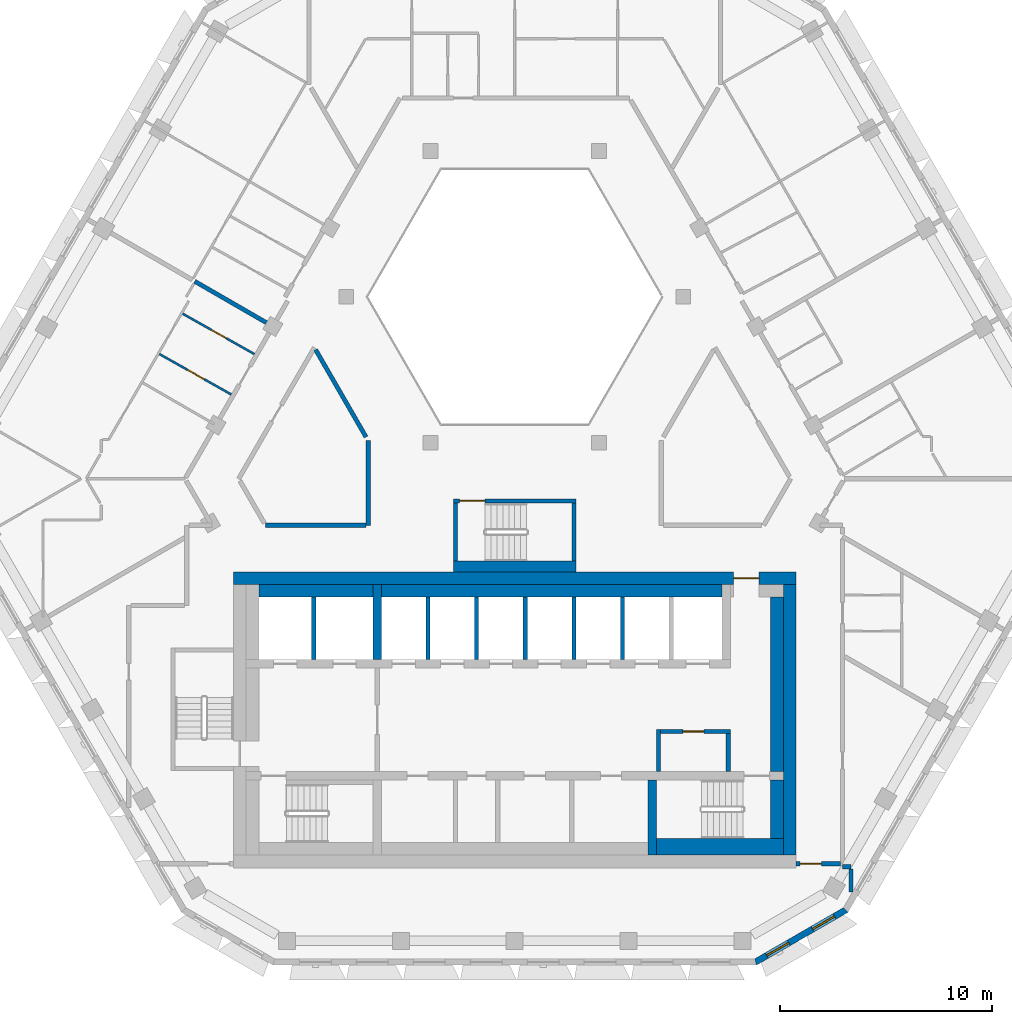
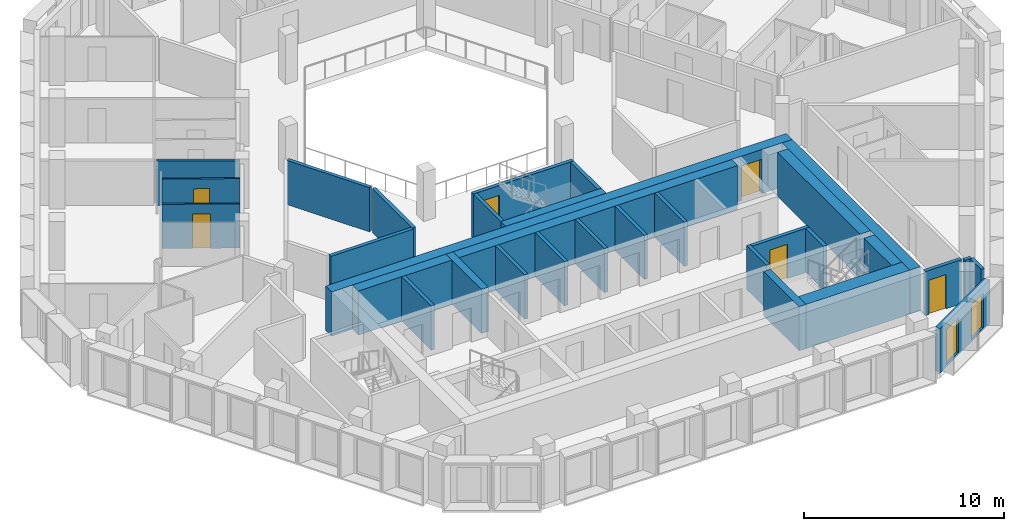
# One storey, part 5 of 18: 32 walls, 6 doors, 2 windows, 8 openings.
"""IFC4 building model written with IfcOpenShell, lengths in metres."""

from ifc_helpers import new_model, si_unit, direction, frame, frame_2d, origin, place, context, subcontext, project, spatial, polyline, rectangle, outline, extrude, material, layer, layer_set, type_object, element, fill, save


model = new_model("IFC4")

# Units and contexts
model_context = context("Model", 3, precision=1e-05, world=origin(), true_north=direction((0.0, 1.0)))
body_context = subcontext(model_context, "Body", "Model", "MODEL_VIEW")
ifc_project = project(units=[si_unit("LENGTHUNIT", "METRE"), si_unit("AREAUNIT", "SQUARE_METRE"), si_unit("VOLUMEUNIT", "CUBIC_METRE"), si_unit("PLANEANGLEUNIT", "RADIAN"), si_unit("MASSUNIT", "GRAM", prefix="KILO")], contexts=[model_context])

# Site, building, storey
site_placement = place(None, origin())
site = spatial("IfcSite", under=ifc_project, at=site_placement, CompositionType="ELEMENT")
building_placement = place(site_placement, origin())
building = spatial("IfcBuilding", under=site, at=building_placement, Name="Beryl Residences", CompositionType="ELEMENT")
storey_placement = place(building_placement, frame((0.0, 0.0, 190.199951171875)))
storey = spatial("IfcBuildingStorey", under=building, at=storey_placement, Name="L58", CompositionType="ELEMENT", Elevation=190.199951171875)

# Wall, openings, windows
ifc_material_1 = material(Name="Composite metal panel with mineral wool insulation")
ifc_layer_1 = layer(ifc_material_1, 0.300048828125)
ifc_layer_set_1 = layer_set([ifc_layer_1], Name="ES1 pale metal composite panel wall 300 mm")
wall_type_1 = type_object("IfcWallType", Name="ES1 pale metal composite panel wall 300 mm", PredefinedType="SOLIDWALL", material=ifc_layer_set_1)
wall_1_placement = place(storey_placement, frame((11.35595703125, -23.469970703125, 0.0), z_axis=(0.0, 0.0, 1.0), x_axis=(0.866022959057, 0.500004234368, 0.0)))
wall_1 = element("IfcWall", 1, at=wall_1_placement, inside=storey, type_object=wall_type_1, Name="ES1 external wall L58 S-SE", PredefinedType="SOLIDWALL", context=body_context, shape_type="SweptSolid", body=[
    extrude(outline(polyline([(0.0, -0.14990234375), (5.0, -0.14990234375), (4.919677734375, 0.14990234375), (0.080322265625, 0.14990234375), (0.0, -0.14990234375)])), origin(), (0.0, 0.0, 1.0), 2.699951171875),
])
opening_1_placement = place(wall_1_placement, frame((0.64990234375, 0.0, 0.14990234375)))
opening_1 = element("IfcOpeningElement", 2, at=opening_1_placement, cuts=wall_1, Name="Opening W2", PredefinedType="OPENING", context=body_context, shape_type="SweptSolid", body=[
    extrude(rectangle(XDim=1.199951171875, YDim=2.10009765625, at=frame_2d((0.60009765625, 1.050048828125))), frame((0.0, 0.159912109375, 0.0), z_axis=(0.0, -1.0, 0.0), x_axis=(1.0, 0.0, 0.0)), (0.0, 0.0, 1.0), 0.320068359375),
])
opening_2_placement = place(wall_1_placement, frame((3.14892578125, 0.0, 0.14990234375)))
opening_2 = element("IfcOpeningElement", 3, at=opening_2_placement, cuts=wall_1, Name="Opening W2", PredefinedType="OPENING", context=body_context, shape_type="SweptSolid", body=[
    extrude(rectangle(XDim=1.199951171875, YDim=2.10009765625, at=frame_2d((0.60009765625, 1.050048828125))), frame((0.0, 0.159912109375, 0.0), z_axis=(0.0, -1.0, 0.0), x_axis=(1.0, 0.0, 0.0)), (0.0, 0.0, 1.0), 0.320068359375),
])
ifc_material_2 = material(Name="Aluminium and clear glass", Category="aluminium")
window_type = type_object("IfcWindowType", Name="W2 chamfer window 1200 x 2100 mm", PartitioningType="SINGLE_PANEL", PredefinedType="WINDOW", material=ifc_material_2)
window_1_placement = place(opening_1_placement, origin())
window_1 = element("IfcWindow", 4, at=window_1_placement, inside=storey, type_object=window_type, Name="W2 window L58 S-SE 1", OverallHeight=2.10009765625, OverallWidth=1.199951171875, PartitioningType="SINGLE_PANEL", PredefinedType="WINDOW", context=body_context, shape_type="SweptSolid", body=[
    extrude(rectangle(XDim=1.199951171875, YDim=2.10009765625, at=frame_2d((0.60009765625, 1.050048828125))), frame((0.0, 0.030029296875, 0.0), z_axis=(0.0, -1.0, 0.0), x_axis=(1.0, 0.0, 0.0)), (0.0, 0.0, 1.0), 0.06005859375),
])
fill(opening_1, window_1)
window_2_placement = place(opening_2_placement, origin())
window_2 = element("IfcWindow", 5, at=window_2_placement, inside=storey, type_object=window_type, Name="W2 window L58 S-SE 2", OverallHeight=2.10009765625, OverallWidth=1.199951171875, PartitioningType="SINGLE_PANEL", PredefinedType="WINDOW", context=body_context, shape_type="SweptSolid", body=[
    extrude(rectangle(XDim=1.199951171875, YDim=2.10009765625, at=frame_2d((0.60009765625, 1.050048828125))), frame((0.0, 0.030029296875, 0.0), z_axis=(0.0, -1.0, 0.0), x_axis=(1.0, 0.0, 0.0)), (0.0, 0.0, 1.0), 0.06005859375),
])
fill(opening_2, window_2)

# Wall, opening, door
ifc_material_3 = material(Name="Gypsum board partition on steel studs", Category="steel")
ifc_layer_2 = layer(ifc_material_3, 0.10009765625)
ifc_layer_set_2 = layer_set([ifc_layer_2], Name="PT1 partition 100 mm gypsum board on steel studs")
wall_type_2 = type_object("IfcWallType", Name="PT1 partition 100 mm gypsum board on steel studs", PredefinedType="PARTITIONING", material=ifc_layer_set_2)
wall_2_placement = place(storey_placement, frame((-16.799072265625, 5.2958984375, 0.0), z_axis=(0.0, 0.0, 1.0), x_axis=(0.871565499758, -0.490279083413, 0.0)))
wall_2 = element("IfcWall", 6, at=wall_2_placement, inside=storey, type_object=wall_type_2, Name="Wall PT1 L58 011", PredefinedType="PARTITIONING", context=body_context, shape_type="SweptSolid", body=[
    extrude(rectangle(XDim=3.8974609375, YDim=0.10009765625, at=frame_2d((1.94873046875, 0.0))), origin(), (0.0, 0.0, 1.0), 2.699951171875),
])
opening_3_placement = place(wall_2_placement, frame((1.52392578125, 0.0, 0.0)))
opening_3 = element("IfcOpeningElement", 7, at=opening_3_placement, cuts=wall_2, Name="Opening D1525", PredefinedType="OPENING", context=body_context, shape_type="SweptSolid", body=[
    extrude(rectangle(XDim=0.89990234375, YDim=2.10009765625, at=frame_2d((0.449951171875, 1.050048828125))), frame((0.0, 0.06005859375, 0.0), z_axis=(0.0, -1.0, 0.0), x_axis=(1.0, 0.0, 0.0)), (0.0, 0.0, 1.0), 0.1201171875),
])
ifc_material_4 = material(Name="Timber door leaf", Category="wood")
door_type_1 = type_object("IfcDoorType", Name="D2 room door 900 x 2100 mm", OperationType="SINGLE_SWING_LEFT", PredefinedType="DOOR", material=ifc_material_4)
door_1_placement = place(opening_3_placement, origin())
door_1 = element("IfcDoor", 8, at=door_1_placement, inside=storey, type_object=door_type_1, Name="Door D1525 L58 001", OperationType="SINGLE_SWING_LEFT", OverallHeight=2.10009765625, OverallWidth=0.89990234375, PredefinedType="DOOR", context=body_context, shape_type="SweptSolid", body=[
    extrude(rectangle(XDim=0.89990234375, YDim=2.10009765625, at=frame_2d((0.449951171875, 1.050048828125))), frame((0.0, 0.02490234375, 0.0), z_axis=(0.0, -1.0, 0.0), x_axis=(1.0, 0.0, 0.0)), (0.0, 0.0, 1.0), 0.050048828125),
])
fill(opening_3, door_1)

wall_3_placement = place(storey_placement, frame((-15.698974609375, 7.201904296875, 0.0), z_axis=(0.0, 0.0, 1.0), x_axis=(0.871565499758, -0.490279083413, 0.0)))
wall_3 = element("IfcWall", 9, at=wall_3_placement, inside=storey, type_object=wall_type_2, Name="Wall PT1 L58 012", PredefinedType="PARTITIONING", context=body_context, shape_type="SweptSolid", body=[
    extrude(rectangle(XDim=3.8974609375, YDim=0.10009765625, at=frame_2d((1.94873046875, 0.0))), origin(), (0.0, 0.0, 1.0), 2.699951171875),
])
opening_4_placement = place(wall_3_placement, frame((1.573974609375, 0.0, 0.0)))
opening_4 = element("IfcOpeningElement", 10, at=opening_4_placement, cuts=wall_3, Name="Opening D1526", PredefinedType="OPENING", context=body_context, shape_type="SweptSolid", body=[
    extrude(rectangle(XDim=0.800048828125, YDim=2.10009765625, at=frame_2d((0.39990234375, 1.050048828125))), frame((0.0, 0.06005859375, 0.0), z_axis=(0.0, -1.0, 0.0), x_axis=(1.0, 0.0, 0.0)), (0.0, 0.0, 1.0), 0.1201171875),
])
ifc_material_5 = material(Name="Timber door leaf", Category="wood")
door_type_2 = type_object("IfcDoorType", Name="D3 bathroom door 800 x 2100 mm", OperationType="SINGLE_SWING_LEFT", PredefinedType="DOOR", material=ifc_material_5)
door_2_placement = place(opening_4_placement, origin())
door_2 = element("IfcDoor", 11, at=door_2_placement, inside=storey, type_object=door_type_2, Name="Door D1526 L58 001", OperationType="SINGLE_SWING_RIGHT", OverallHeight=2.10009765625, OverallWidth=0.800048828125, PredefinedType="DOOR", context=body_context, shape_type="SweptSolid", body=[
    extrude(rectangle(XDim=0.800048828125, YDim=2.10009765625, at=frame_2d((0.39990234375, 1.050048828125))), frame((0.0, 0.02490234375, 0.0), z_axis=(0.0, -1.0, 0.0), x_axis=(1.0, 0.0, 0.0)), (0.0, 0.0, 1.0), 0.050048828125),
])
fill(opening_4, door_2)

# Wall
ifc_material_6 = material(Name="Concrete masonry", Category="masonry")
ifc_layer_3 = layer(ifc_material_6, 0.199951171875)
ifc_layer_set_3 = layer_set([ifc_layer_3], Name="PT13 lobby wall 200 mm")
wall_type_3 = type_object("IfcWallType", Name="PT13 lobby wall 200 mm", PredefinedType="PARTITIONING", material=ifc_layer_set_3)
wall_4_placement = place(storey_placement, frame((6.800048828125, -14.449951171875, 0.0), z_axis=(0.0, 0.0, 1.0), x_axis=(0.0, 1.0, 0.0)))
element("IfcWall", 12, at=wall_4_placement, inside=storey, type_object=wall_type_3, Name="Lobby wall 24", PredefinedType="PARTITIONING", context=body_context, shape_type="SweptSolid", body=[
    extrude(rectangle(XDim=2.0, YDim=0.199951171875, at=frame_2d((1.0, 0.0))), origin(), (0.0, 0.0, 1.0), 2.699951171875),
])

# Wall, opening, door
wall_5_placement = place(storey_placement, frame((6.89990234375, -12.550048828125, 0.0), z_axis=(0.0, 0.0, 1.0), x_axis=(1.0, 0.0, 0.0)))
wall_5 = element("IfcWall", 13, at=wall_5_placement, inside=storey, type_object=wall_type_3, Name="Lobby wall 25", PredefinedType="PARTITIONING", context=body_context, shape_type="SweptSolid", body=[
    extrude(rectangle(XDim=3.300048828125, YDim=0.199951171875, at=frame_2d((1.64990234375, 0.0))), origin(), (0.0, 0.0, 1.0), 2.699951171875),
])
opening_5_placement = place(wall_5_placement, frame((2.050048828125, 0.0, 0.0), z_axis=(0.0, 0.0, 1.0), x_axis=(-1.0, 0.0, 0.0)))
opening_5 = element("IfcOpeningElement", 14, at=opening_5_placement, cuts=wall_5, Name="Opening CD-D-A1", PredefinedType="OPENING", context=body_context, shape_type="SweptSolid", body=[
    extrude(rectangle(XDim=1.0, YDim=2.10009765625, at=frame_2d((0.5, 1.050048828125))), frame((0.0, 0.10986328125, 0.0), z_axis=(0.0, -1.0, 0.0), x_axis=(1.0, 0.0, 0.0)), (0.0, 0.0, 1.0), 0.219970703125),
])
ifc_material_7 = material(Name="Steel door leaf in steel frame", Category="steel")
door_type_3 = type_object("IfcDoorType", Name="D18 service room door 1000 x 2100 mm", OperationType="SINGLE_SWING_LEFT", PredefinedType="DOOR", material=ifc_material_7)
door_3_placement = place(opening_5_placement, origin())
door_3 = element("IfcDoor", 15, at=door_3_placement, inside=storey, type_object=door_type_3, Name="Door CD-D-A1 L58 001", OperationType="SINGLE_SWING_RIGHT", OverallHeight=2.10009765625, OverallWidth=1.0, PredefinedType="DOOR", context=body_context, shape_type="SweptSolid", body=[
    extrude(rectangle(XDim=1.0, YDim=2.10009765625, at=frame_2d((0.5, 1.050048828125))), frame((0.0, 0.02490234375, 0.0), z_axis=(0.0, -1.0, 0.0), x_axis=(1.0, 0.0, 0.0)), (0.0, 0.0, 1.0), 0.050048828125),
])
fill(opening_5, door_3)

# Walls
wall_6_placement = place(storey_placement, frame((10.10009765625, -14.449951171875, 0.0), z_axis=(0.0, 0.0, 1.0), x_axis=(0.0, 1.0, 0.0)))
element("IfcWall", 16, at=wall_6_placement, inside=storey, type_object=wall_type_3, Name="Lobby wall 27", PredefinedType="PARTITIONING", context=body_context, shape_type="SweptSolid", body=[
    extrude(rectangle(XDim=1.800048828125, YDim=0.199951171875, at=frame_2d((0.89990234375, 0.0))), origin(), (0.0, 0.0, 1.0), 2.699951171875),
])
ifc_material_8 = material(Name="Concrete masonry", Category="masonry")
ifc_layer_4 = layer(ifc_material_8, 0.60009765625)
ifc_layer_set_4 = layer_set([ifc_layer_4], Name="PT13-600 lobby wall 600 mm")
wall_type_4 = type_object("IfcWallType", Name="PT13-600 lobby wall 600 mm", PredefinedType="PARTITIONING", material=ifc_layer_set_4)
wall_7_placement = place(storey_placement, frame((12.39990234375, -14.449951171875, 0.0), z_axis=(0.0, 0.0, 1.0), x_axis=(0.0, 1.0, 0.0)))
element("IfcWall", 17, at=wall_7_placement, inside=storey, type_object=wall_type_4, Name="Lobby wall 31", PredefinedType="PARTITIONING", context=body_context, shape_type="SweptSolid", body=[
    extrude(rectangle(XDim=8.25, YDim=0.60009765625, at=frame_2d((4.125, 0.0))), origin(), (0.0, 0.0, 1.0), 2.699951171875),
])
ifc_material_9 = material(Name="Acoustic double stud gypsum board wall")
ifc_layer_5 = layer(ifc_material_9, 0.199951171875)
ifc_layer_set_5 = layer_set([ifc_layer_5], Name="PT3 party wall 200 mm acoustic double stud")
wall_type_5 = type_object("IfcWallType", Name="PT3 party wall 200 mm acoustic double stud", PredefinedType="PARTITIONING", material=ifc_layer_set_5)
wall_8_placement = place(storey_placement, frame((15.89990234375, -19.051025390625, 0.0), z_axis=(0.0, 0.0, 1.0), x_axis=(0.0, -1.0, 0.0)))
element("IfcWall", 18, at=wall_8_placement, inside=storey, type_object=wall_type_5, Name="Wall PT3 L58 002", PredefinedType="PARTITIONING", context=body_context, shape_type="SweptSolid", body=[
    extrude(rectangle(XDim=1.0869140625, YDim=0.199951171875, at=frame_2d((0.54345703125, 0.0))), origin(), (0.0, 0.0, 1.0), 2.699951171875),
])
wall_9_placement = place(storey_placement, frame((-15.126953125, 8.73388671875, 0.0), z_axis=(0.0, 0.0, 1.0), x_axis=(0.865984601828, -0.500070664403, 0.0)))
element("IfcWall", 19, at=wall_9_placement, inside=storey, type_object=wall_type_5, Name="Wall PT3 L58 004", PredefinedType="PARTITIONING", context=body_context, shape_type="SweptSolid", body=[
    extrude(rectangle(XDim=4.16748046875, YDim=0.199951171875, at=frame_2d((2.083740234375, 0.0))), origin(), (0.0, 0.0, 1.0), 2.699951171875),
])
wall_10_placement = place(storey_placement, frame((15.4990234375, -18.949951171875, 0.0), z_axis=(0.0, 0.0, 1.0), x_axis=(1.0, 0.0, 0.0)))
element("IfcWall", 20, at=wall_10_placement, inside=storey, type_object=wall_type_5, Name="Wall PT3 L58 014", PredefinedType="PARTITIONING", context=body_context, shape_type="SweptSolid", body=[
    extrude(rectangle(XDim=0.39990234375, YDim=0.199951171875, at=frame_2d((0.199951171875, 0.0))), origin(), (0.0, 0.0, 1.0), 2.699951171875),
])
ifc_material_10 = material(Name="Double stud gypsum board wall")
ifc_layer_6 = layer(ifc_material_10, 0.199951171875)
ifc_layer_set_6 = layer_set([ifc_layer_6], Name="PT4 corridor wall 200 mm double stud")
wall_type_6 = type_object("IfcWallType", Name="PT4 corridor wall 200 mm double stud", PredefinedType="PARTITIONING", material=ifc_layer_set_6)
wall_11_placement = place(storey_placement, frame((-9.410888671875, 5.5, 0.0), z_axis=(0.0, 0.0, 1.0), x_axis=(0.500018099276, -0.86601495391, 0.0)))
element("IfcWall", 21, at=wall_11_placement, inside=storey, type_object=wall_type_6, Name="Wall PT4 L58 001", PredefinedType="PARTITIONING", context=body_context, shape_type="SweptSolid", body=[
    extrude(rectangle(XDim=4.765380859375, YDim=0.199951171875, at=frame_2d((2.3828125, 0.0))), origin(), (0.0, 0.0, 1.0), 2.699951171875),
])

# Wall, opening, door
wall_12_placement = place(storey_placement, frame((13.300048828125, -18.800048828125, 0.0), z_axis=(0.0, 0.0, 1.0), x_axis=(1.0, 0.0, 0.0)))
wall_12 = element("IfcWall", 22, at=wall_12_placement, inside=storey, type_object=wall_type_6, Name="Wall PT4 L58 009", PredefinedType="PARTITIONING", context=body_context, shape_type="SweptSolid", body=[
    extrude(rectangle(XDim=2.098876953125, YDim=0.199951171875, at=frame_2d((1.04931640625, 0.0))), origin(), (0.0, 0.0, 1.0), 2.699951171875),
])
opening_6_placement = place(wall_12_placement, frame((0.199951171875, 0.0, 0.0)))
opening_6 = element("IfcOpeningElement", 23, at=opening_6_placement, cuts=wall_12, Name="Opening D1548", PredefinedType="OPENING", context=body_context, shape_type="SweptSolid", body=[
    extrude(rectangle(XDim=1.0, YDim=2.10009765625, at=frame_2d((0.5, 1.050048828125))), frame((0.0, 0.10986328125, 0.0), z_axis=(0.0, -1.0, 0.0), x_axis=(1.0, 0.0, 0.0)), (0.0, 0.0, 1.0), 0.219970703125),
])
ifc_material_11 = material(Name="Timber door leaf", Category="wood")
door_type_4 = type_object("IfcDoorType", Name="D1 flat entrance door 1000 x 2100 mm", OperationType="SINGLE_SWING_LEFT", PredefinedType="DOOR", material=ifc_material_11)
door_4_placement = place(opening_6_placement, origin())
door_4 = element("IfcDoor", 24, at=door_4_placement, inside=storey, type_object=door_type_4, Name="Door D1548 L58 001", OperationType="SINGLE_SWING_LEFT", OverallHeight=2.10009765625, OverallWidth=1.0, PredefinedType="DOOR", context=body_context, shape_type="SweptSolid", body=[
    extrude(rectangle(XDim=1.0, YDim=2.10009765625, at=frame_2d((0.5, 1.050048828125))), frame((0.0, 0.02490234375, 0.0), z_axis=(0.0, -1.0, 0.0), x_axis=(1.0, 0.0, 0.0)), (0.0, 0.0, 1.0), 0.050048828125),
])
fill(opening_6, door_4)

# Walls
wall_13_placement = place(storey_placement, frame((-11.778076171875, -2.800048828125, 0.0), z_axis=(0.0, 0.0, 1.0), x_axis=(1.0, 0.0, 0.0)))
element("IfcWall", 25, at=wall_13_placement, inside=storey, type_object=wall_type_6, Name="Wall PT4 L58 011", PredefinedType="PARTITIONING", context=body_context, shape_type="SweptSolid", body=[
    extrude(rectangle(XDim=4.75, YDim=0.199951171875, at=frame_2d((2.375, 0.0))), origin(), (0.0, 0.0, 1.0), 2.699951171875),
])
wall_14_placement = place(storey_placement, frame((-6.927978515625, -2.800048828125, 0.0), z_axis=(0.0, 0.0, 1.0), x_axis=(0.0, 1.0, 0.0)))
element("IfcWall", 26, at=wall_14_placement, inside=storey, type_object=wall_type_6, Name="Wall PT4 L58 023", PredefinedType="PARTITIONING", context=body_context, shape_type="SweptSolid", body=[
    extrude(rectangle(XDim=4.0, YDim=0.199951171875, at=frame_2d((2.0, 0.0))), origin(), (0.0, 0.0, 1.0), 2.699951171875),
])

# Wall, opening, door
ifc_material_12 = material(Name="Concrete C40/50", Category="concrete")
ifc_layer_7 = layer(ifc_material_12, 0.199951171875)
ifc_layer_set_7 = layer_set([ifc_layer_7], Name="PT5 stair enclosure wall 200 mm reinforced concrete C40/50")
wall_type_7 = type_object("IfcWallType", Name="PT5 stair enclosure wall 200 mm reinforced concrete C40/50", PredefinedType="SOLIDWALL", material=ifc_layer_set_7)
wall_15_placement = place(storey_placement, frame((-2.89990234375, -1.64990234375, 0.0), z_axis=(0.0, 0.0, 1.0), x_axis=(1.0, 0.0, 0.0)))
wall_15 = element("IfcWall", 27, at=wall_15_placement, inside=storey, type_object=wall_type_7, Name="Wall PT5 L58 001", PredefinedType="SOLIDWALL", context=body_context, shape_type="SweptSolid", body=[
    extrude(rectangle(XDim=5.7998046875, YDim=0.199951171875, at=frame_2d((2.89990234375, 0.0))), origin(), (0.0, 0.0, 1.0), 2.699951171875),
])
opening_7_placement = place(wall_15_placement, frame((0.300048828125, 0.0, 0.0)))
opening_7 = element("IfcOpeningElement", 28, at=opening_7_placement, cuts=wall_15, Name="Opening DS04", PredefinedType="OPENING", context=body_context, shape_type="SweptSolid", body=[
    extrude(rectangle(XDim=1.199951171875, YDim=2.10009765625, at=frame_2d((0.60009765625, 1.050048828125))), frame((0.0, 0.10986328125, 0.0), z_axis=(0.0, -1.0, 0.0), x_axis=(1.0, 0.0, 0.0)), (0.0, 0.0, 1.0), 0.219970703125),
])
ifc_material_13 = material(Name="Steel door leaf in steel frame", Category="steel")
door_type_5 = type_object("IfcDoorType", Name="D4 stair door 1200 x 2100 mm", OperationType="SINGLE_SWING_LEFT", PredefinedType="DOOR", material=ifc_material_13)
door_5_placement = place(opening_7_placement, origin())
door_5 = element("IfcDoor", 29, at=door_5_placement, inside=storey, type_object=door_type_5, Name="Door DS04 L58 001", OperationType="SINGLE_SWING_LEFT", OverallHeight=2.10009765625, OverallWidth=1.199951171875, PredefinedType="DOOR", context=body_context, shape_type="SweptSolid", body=[
    extrude(rectangle(XDim=1.199951171875, YDim=2.10009765625, at=frame_2d((0.60009765625, 1.050048828125))), frame((0.0, 0.02490234375, 0.0), z_axis=(0.0, -1.0, 0.0), x_axis=(1.0, 0.0, 0.0)), (0.0, 0.0, 1.0), 0.050048828125),
])
fill(opening_7, door_5)

# Walls
for number, where, z_axis, x_axis, name in (
    (30, (-2.800048828125, -4.5, 0.0), (0.0, 0.0, 1.0), (0.0, 1.0, 0.0), "Wall PT5 L58 002"),
    (31, (2.800048828125, -4.5, 0.0), (0.0, 0.0, 1.0), (0.0, 1.0, 0.0), "Wall PT5 L58 003"),
):
    element("IfcWall", number, at=place(storey_placement, frame(where, z_axis=z_axis, x_axis=x_axis)), inside=storey, type_object=wall_type_7, Name=name, PredefinedType="SOLIDWALL", context=body_context, shape_type="SweptSolid", body=[
        extrude(rectangle(XDim=2.75, YDim=0.199951171875, at=frame_2d((1.375, 0.0))), origin(), (0.0, 0.0, 1.0), 2.699951171875),
    ])
ifc_material_14 = material(Name="Concrete C40/50", Category="concrete")
ifc_layer_8 = layer(ifc_material_14, 0.5)
ifc_layer_set_8 = layer_set([ifc_layer_8], Name="PT5-500 stair enclosure wall 500 mm")
wall_type_8 = type_object("IfcWallType", Name="PT5-500 stair enclosure wall 500 mm", PredefinedType="SOLIDWALL", material=ifc_layer_set_8)
wall_16_placement = place(storey_placement, frame((-2.89990234375, -4.75, 0.0), z_axis=(0.0, 0.0, 1.0), x_axis=(1.0, 0.0, 0.0)))
element("IfcWall", 32, at=wall_16_placement, inside=storey, type_object=wall_type_8, Name="Wall PT5-500 L58 001", PredefinedType="SOLIDWALL", context=body_context, shape_type="SweptSolid", body=[
    extrude(rectangle(XDim=5.7998046875, YDim=0.5, at=frame_2d((2.89990234375, 0.0))), origin(), (0.0, 0.0, 1.0), 2.699951171875),
])
ifc_material_15 = material(Name="Concrete C40/50", Category="concrete")
ifc_layer_9 = layer(ifc_material_15, 0.60009765625)
ifc_layer_set_9 = layer_set([ifc_layer_9], Name="PT5-600 stair enclosure wall 600 mm")
wall_type_9 = type_object("IfcWallType", Name="PT5-600 stair enclosure wall 600 mm", PredefinedType="SOLIDWALL", material=ifc_layer_set_9)
wall_17_placement = place(storey_placement, frame((12.39990234375, -17.60009765625, 0.0), z_axis=(0.0, 0.0, 1.0), x_axis=(0.0, 1.0, 0.0)))
element("IfcWall", 33, at=wall_17_placement, inside=storey, type_object=wall_type_9, Name="Stair wall 30", PredefinedType="SOLIDWALL", context=body_context, shape_type="SweptSolid", body=[
    extrude(rectangle(XDim=2.75, YDim=0.60009765625, at=frame_2d((1.375, 0.0))), origin(), (0.0, 0.0, 1.0), 2.699951171875),
])
ifc_material_16 = material(Name="Concrete C40/50", Category="concrete")
ifc_layer_10 = layer(ifc_material_16, 0.800048828125)
ifc_layer_set_10 = layer_set([ifc_layer_10], Name="PT5-800 stair enclosure wall 800 mm")
wall_type_10 = type_object("IfcWallType", Name="PT5-800 stair enclosure wall 800 mm", PredefinedType="SOLIDWALL", material=ifc_layer_set_10)
wall_18_placement = place(storey_placement, frame((6.699951171875, -18.0, 0.0), z_axis=(0.0, 0.0, 1.0), x_axis=(1.0, 0.0, 0.0)))
element("IfcWall", 34, at=wall_18_placement, inside=storey, type_object=wall_type_10, Name="Stair wall 23", PredefinedType="SOLIDWALL", context=body_context, shape_type="SweptSolid", body=[
    extrude(rectangle(XDim=6.0, YDim=0.800048828125, at=frame_2d((3.0, 0.0))), origin(), (0.0, 0.0, 1.0), 2.699951171875),
])
ifc_material_17 = material(Name="Concrete C40/50", Category="concrete")
ifc_layer_11 = layer(ifc_material_17, 0.199951171875)
ifc_layer_set_11 = layer_set([ifc_layer_11], Name="PT6 lift shaft wall 200 mm reinforced concrete C40/50")
wall_type_11 = type_object("IfcWallType", Name="PT6 lift shaft wall 200 mm reinforced concrete C40/50", PredefinedType="SOLIDWALL", material=ifc_layer_set_11)
for number, where, z_axis, x_axis, name in (
    (35, (-9.5, -9.14990234375, 0.0), (0.0, 0.0, 1.0), (0.0, 1.0, 0.0), "Lift shaft wall 11"),
    (36, (-4.10009765625, -9.14990234375, 0.0), (0.0, 0.0, 1.0), (0.0, 1.0, 0.0), "Lift shaft wall 15"),
    (37, (-1.800048828125, -9.14990234375, 0.0), (0.0, 0.0, 1.0), (0.0, 1.0, 0.0), "Lift shaft wall 17"),
    (38, (0.5, -9.14990234375, 0.0), (0.0, 0.0, 1.0), (0.0, 1.0, 0.0), "Lift shaft wall 19"),
    (39, (2.800048828125, -9.14990234375, 0.0), (0.0, 0.0, 1.0), (0.0, 1.0, 0.0), "Lift shaft wall 21"),
    (40, (5.10009765625, -9.14990234375, 0.0), (0.0, 0.0, 1.0), (0.0, 1.0, 0.0), "Lift shaft wall 22"),
):
    element("IfcWall", number, at=place(storey_placement, frame(where, z_axis=z_axis, x_axis=x_axis)), inside=storey, type_object=wall_type_11, Name=name, PredefinedType="SOLIDWALL", context=body_context, shape_type="SweptSolid", body=[
        extrude(rectangle(XDim=2.949951171875, YDim=0.199951171875, at=frame_2d((1.47509765625, 0.0))), origin(), (0.0, 0.0, 1.0), 2.699951171875),
    ])
ifc_material_18 = material(Name="Concrete C40/50", Category="concrete")
ifc_layer_12 = layer(ifc_material_18, 0.60009765625)
ifc_layer_set_12 = layer_set([ifc_layer_12], Name="PT6-600 lift shaft wall 600 mm")
wall_type_12 = type_object("IfcWallType", Name="PT6-600 lift shaft wall 600 mm", PredefinedType="SOLIDWALL", material=ifc_layer_set_12)
wall_19_placement = place(storey_placement, frame((-12.10009765625, -5.89990234375, 0.0), z_axis=(0.0, 0.0, 1.0), x_axis=(1.0, 0.0, 0.0)))
element("IfcWall", 41, at=wall_19_placement, inside=storey, type_object=wall_type_12, Name="Lift shaft wall 09", PredefinedType="SOLIDWALL", context=body_context, shape_type="SweptSolid", body=[
    extrude(rectangle(XDim=5.400146484375, YDim=0.60009765625, at=frame_2d((2.7001953125, 0.0))), origin(), (0.0, 0.0, 1.0), 2.699951171875),
])
wall_20_placement = place(storey_placement, frame((-6.300048828125, -5.89990234375, 0.0), z_axis=(0.0, 0.0, 1.0), x_axis=(1.0, 0.0, 0.0)))
element("IfcWall", 42, at=wall_20_placement, inside=storey, type_object=wall_type_12, Name="Lift shaft wall 14", PredefinedType="SOLIDWALL", context=body_context, shape_type="SweptSolid", body=[
    extrude(rectangle(XDim=16.10009765625, YDim=0.60009765625, at=frame_2d((8.050048828125, 0.0))), origin(), (0.0, 0.0, 1.0), 2.699951171875),
])

# Wall, opening, door
ifc_material_19 = material(Name="Concrete C50/60", Category="concrete")
ifc_layer_13 = layer(ifc_material_19, 0.60009765625)
ifc_layer_set_13 = layer_set([ifc_layer_13], Name="SW4 core outer wall 600 mm C50/60")
wall_type_13 = type_object("IfcWallType", Name="SW4 core outer wall 600 mm C50/60", PredefinedType="SHEAR", material=ifc_layer_set_13)
wall_21_placement = place(storey_placement, frame((-13.300048828125, -5.300048828125, 0.0), z_axis=(0.0, 0.0, 1.0), x_axis=(1.0, 0.0, 0.0)))
wall_21 = element("IfcWall", 43, at=wall_21_placement, inside=storey, type_object=wall_type_13, Name="Core wall N L58", PredefinedType="SHEAR", context=body_context, shape_type="SweptSolid", body=[
    extrude(rectangle(XDim=26.60009765625, YDim=0.60009765625, at=frame_2d((13.300048828125, 0.0))), origin(), (0.0, 0.0, 1.0), 2.699951171875),
])
opening_8_placement = place(wall_21_placement, frame((23.64990234375, 0.0, 0.0)))
opening_8 = element("IfcOpeningElement", 44, at=opening_8_placement, cuts=wall_21, Name="Opening FD-NORTH", PredefinedType="OPENING", context=body_context, shape_type="SweptSolid", body=[
    extrude(rectangle(XDim=1.199951171875, YDim=2.10009765625, at=frame_2d((0.60009765625, 1.050048828125))), frame((0.0, 0.31005859375, 0.0), z_axis=(0.0, -1.0, 0.0), x_axis=(1.0, 0.0, 0.0)), (0.0, 0.0, 1.0), 0.6201171875),
])
ifc_material_20 = material(Name="Steel door leaf in steel frame", Category="steel")
door_type_6 = type_object("IfcDoorType", Name="D22 lobby door 1200 x 2100 mm", OperationType="DOUBLE_DOOR_SINGLE_SWING", PredefinedType="DOOR", material=ifc_material_20)
door_6_placement = place(opening_8_placement, origin())
door_6 = element("IfcDoor", 45, at=door_6_placement, inside=storey, type_object=door_type_6, Name="Door FD-NORTH L58 001", OperationType="DOUBLE_DOOR_SINGLE_SWING", OverallHeight=2.10009765625, OverallWidth=1.199951171875, PredefinedType="DOOR", context=body_context, shape_type="SweptSolid", body=[
    extrude(rectangle(XDim=1.199951171875, YDim=2.10009765625, at=frame_2d((0.60009765625, 1.050048828125))), frame((0.0, 0.02490234375, 0.0), z_axis=(0.0, -1.0, 0.0), x_axis=(1.0, 0.0, 0.0)), (0.0, 0.0, 1.0), 0.050048828125),
])
fill(opening_8, door_6)

# Walls
wall_22_placement = place(storey_placement, frame((13.0, -18.39990234375, 0.0), z_axis=(0.0, 0.0, 1.0), x_axis=(0.0, 1.0, 0.0)))
element("IfcWall", 46, at=wall_22_placement, inside=storey, type_object=wall_type_13, Name="Core wall E L58", PredefinedType="SHEAR", context=body_context, shape_type="SweptSolid", body=[
    extrude(rectangle(XDim=12.7998046875, YDim=0.60009765625, at=frame_2d((6.39990234375, 0.0))), origin(), (0.0, 0.0, 1.0), 2.699951171875),
])
ifc_material_21 = material(Name="Concrete C50/60", Category="concrete")
ifc_layer_14 = layer(ifc_material_21, 0.39990234375)
ifc_layer_set_14 = layer_set([ifc_layer_14], Name="SW9 core internal wall 400 mm C50/60")
wall_type_14 = type_object("IfcWallType", Name="SW9 core internal wall 400 mm C50/60", PredefinedType="SHEAR", material=ifc_layer_set_14)
for number, where, z_axis, x_axis, name in (
    (47, (6.5, -18.39990234375, 0.0), (0.0, 0.0, 1.0), (0.0, 1.0, 0.0), "Core wall XS2 L58"),
    (48, (-6.5, -9.14990234375, 0.0), (0.0, 0.0, 1.0), (0.0, 1.0, 0.0), "Core wall XN1 L58"),
):
    element("IfcWall", number, at=place(storey_placement, frame(where, z_axis=z_axis, x_axis=x_axis)), inside=storey, type_object=wall_type_14, Name=name, PredefinedType="SHEAR", context=body_context, shape_type="SweptSolid", body=[
        extrude(rectangle(XDim=3.5498046875, YDim=0.39990234375, at=frame_2d((1.77490234375, 0.0))), origin(), (0.0, 0.0, 1.0), 2.699951171875),
    ])

save(model, "model.ifc")
